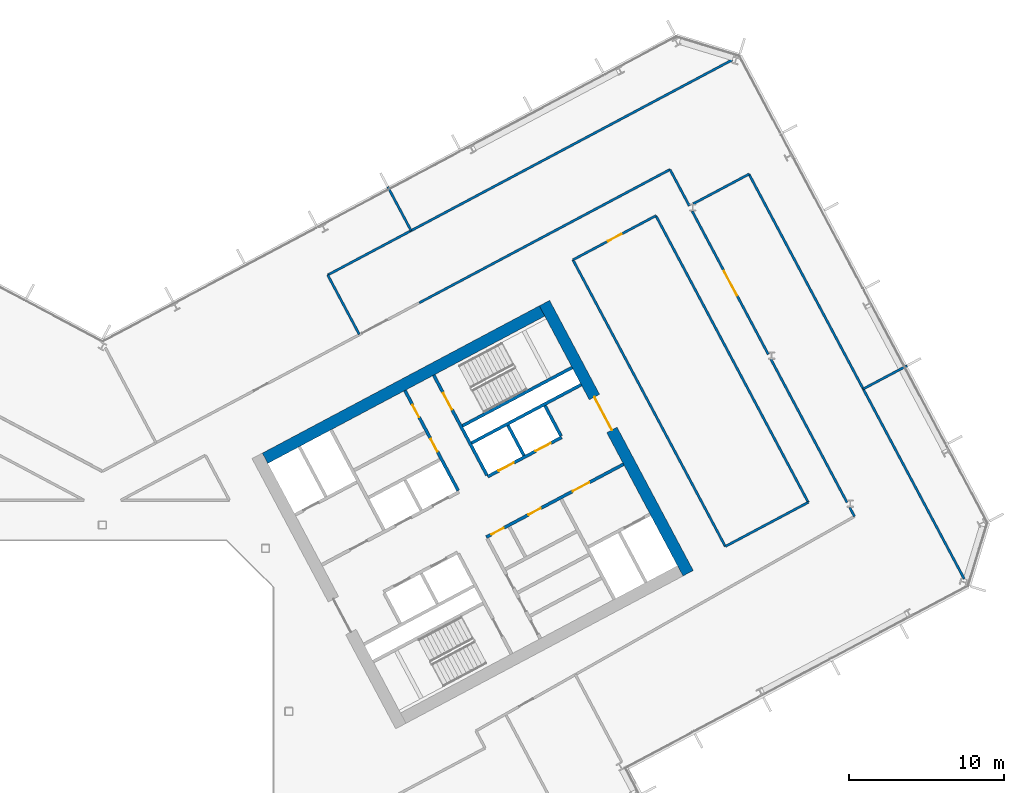
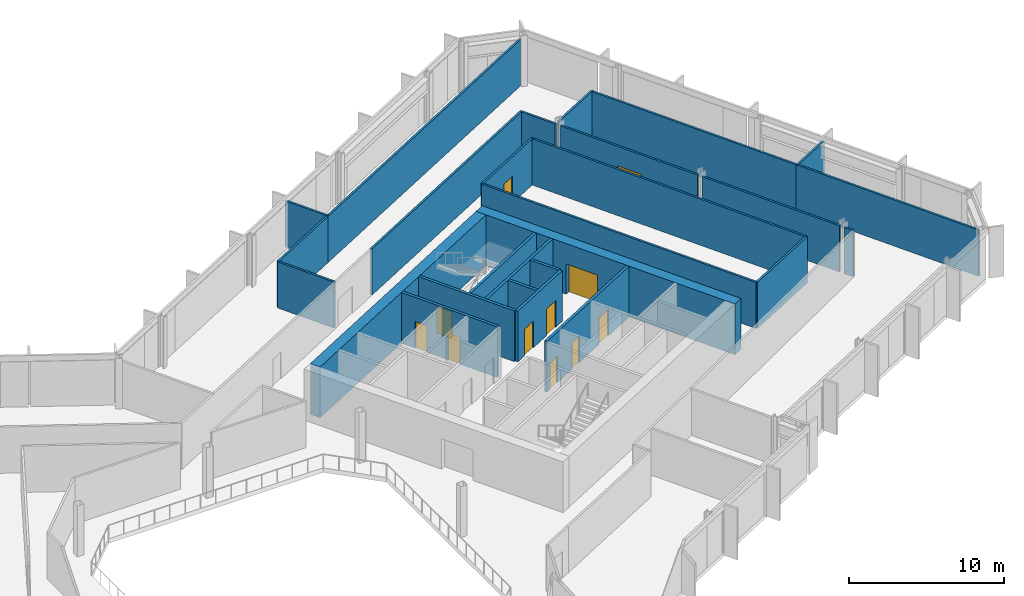
# One storey, part 17 of 28: 27 walls, 11 doors, 11 openings.
"""IFC4 building model written with IfcOpenShell, lengths in metres."""

from ifc_helpers import new_model, si_unit, direction, frame, frame_2d, origin, place, context, subcontext, project, spatial, rectangle, extrude, material, layer, layer_set, type_object, element, fill, save


model = new_model("IFC4")

# Units and contexts
model_context = context("Model", 3, precision=1e-05, world=origin(), true_north=direction((0.0, 1.0)))
body_context = subcontext(model_context, "Body", "Model", "MODEL_VIEW")
ifc_project = project(units=[si_unit("LENGTHUNIT", "METRE"), si_unit("AREAUNIT", "SQUARE_METRE"), si_unit("VOLUMEUNIT", "CUBIC_METRE"), si_unit("PLANEANGLEUNIT", "RADIAN"), si_unit("MASSUNIT", "GRAM", prefix="KILO")], contexts=[model_context])

# Site, building, storey
site_placement = place(None, origin())
site = spatial("IfcSite", under=ifc_project, at=site_placement, CompositionType="ELEMENT")
building_placement = place(site_placement, origin())
building = spatial("IfcBuilding", under=site, at=building_placement, Name="Cormorant Relay Tower", CompositionType="ELEMENT")
storey_placement = place(building_placement, frame((0.0, 0.0, 146.199951171875)))
storey = spatial("IfcBuildingStorey", under=building, at=storey_placement, Name="L30", CompositionType="ELEMENT", Elevation=146.199951171875)

# Wall
ifc_material_1 = material(Name="Concrete 40 MPa", Category="concrete")
ifc_layer_1 = layer(ifc_material_1, 0.199951171875)
ifc_layer_set_1 = layer_set([ifc_layer_1], Name="Core internal wall 200")
wall_type_1 = type_object("IfcWallType", Name="Core internal wall 200", PredefinedType="SOLIDWALL", material=ifc_layer_set_1)
wall_1_placement = place(storey_placement, frame((27.144287109375, 16.471435546875, 0.0), z_axis=(0.0, 0.0, 1.0), x_axis=(-0.469401318492, 0.882984938828, 0.0)))
element("IfcWall", 1, at=wall_1_placement, inside=storey, type_object=wall_type_1, Name="L30 core B shaft and room wall", PredefinedType="SOLIDWALL", context=body_context, shape_type="SweptSolid", body=[
    extrude(rectangle(XDim=2.199951171875, YDim=0.199951171875, at=frame_2d((1.10009765625, 0.0))), origin(), (0.0, 0.0, 1.0), 4.0),
])

# Wall, openings, doors
ifc_material_2 = material(Name="Concrete 50 MPa", Category="concrete")
ifc_layer_2 = layer(ifc_material_2, 0.199951171875)
ifc_layer_set_2 = layer_set([ifc_layer_2], Name="Core shaft wall 200")
wall_type_2 = type_object("IfcWallType", Name="Core shaft wall 200", PredefinedType="SHEAR", material=ifc_layer_set_2)
wall_2_placement = place(storey_placement, frame((22.90625, 14.218017578125, 0.0), z_axis=(0.0, 0.0, 1.0), x_axis=(-0.469480409012, 0.88294288918, 0.0)))
wall_2 = element("IfcWall", 2, at=wall_2_placement, inside=storey, type_object=wall_type_2, Name="L30 core B shaft wall", PredefinedType="SHEAR", context=body_context, shape_type="SweptSolid", body=[
    extrude(rectangle(XDim=7.300048828125, YDim=0.199951171875, at=frame_2d((3.64990234375, 0.0))), origin(), (0.0, 0.0, 1.0), 4.0),
])
opening_1_placement = place(wall_2_placement, frame((2.85009765625, 0.0, 0.0)))
opening_1 = element("IfcOpeningElement", 3, at=opening_1_placement, cuts=wall_2, Name="Opening CDD-201", PredefinedType="OPENING", context=body_context, shape_type="SweptSolid", body=[
    extrude(rectangle(XDim=0.89990234375, YDim=2.10009765625, at=frame_2d((0.449951171875, 1.050048828125))), frame((0.0, 0.10986328125, 0.0), z_axis=(0.0, -1.0, 0.0), x_axis=(1.0, 0.0, 0.0)), (0.0, 0.0, 1.0), 0.219970703125),
])
opening_2_placement = place(wall_2_placement, frame((5.35009765625, 0.0, 0.0)))
opening_2 = element("IfcOpeningElement", 4, at=opening_2_placement, cuts=wall_2, Name="Opening CDD-202", PredefinedType="OPENING", context=body_context, shape_type="SweptSolid", body=[
    extrude(rectangle(XDim=0.89990234375, YDim=2.10009765625, at=frame_2d((0.449951171875, 1.050048828125))), frame((0.0, 0.10986328125, 0.0), z_axis=(0.0, -1.0, 0.0), x_axis=(1.0, 0.0, 0.0)), (0.0, 0.0, 1.0), 0.219970703125),
])
ifc_material_3 = material(Name="Steel fire door", Category="steel")
door_type_1 = type_object("IfcDoorType", Name="Core room door 900x2100", OperationType="SINGLE_SWING_LEFT", PredefinedType="DOOR", material=ifc_material_3)
door_1_placement = place(opening_1_placement, origin())
door_1 = element("IfcDoor", 5, at=door_1_placement, inside=storey, type_object=door_type_1, Name="Core room door 900x2100", OperationType="SINGLE_SWING_RIGHT", OverallHeight=2.10009765625, OverallWidth=0.89990234375, PredefinedType="DOOR", context=body_context, shape_type="SweptSolid", body=[
    extrude(rectangle(XDim=0.89990234375, YDim=2.10009765625, at=frame_2d((0.449951171875, 1.050048828125))), frame((0.0, 0.02490234375, 0.0), z_axis=(0.0, -1.0, 0.0), x_axis=(1.0, 0.0, 0.0)), (0.0, 0.0, 1.0), 0.050048828125),
])
fill(opening_1, door_1)
door_2_placement = place(opening_2_placement, origin())
door_2 = element("IfcDoor", 6, at=door_2_placement, inside=storey, type_object=door_type_1, Name="Core room door 900x2100", OperationType="SINGLE_SWING_LEFT", OverallHeight=2.10009765625, OverallWidth=0.89990234375, PredefinedType="DOOR", context=body_context, shape_type="SweptSolid", body=[
    extrude(rectangle(XDim=0.89990234375, YDim=2.10009765625, at=frame_2d((0.449951171875, 1.050048828125))), frame((0.0, 0.02490234375, 0.0), z_axis=(0.0, -1.0, 0.0), x_axis=(1.0, 0.0, 0.0)), (0.0, 0.0, 1.0), 0.050048828125),
])
fill(opening_2, door_2)

# Wall, opening, door
wall_3_placement = place(storey_placement, frame((24.760498046875, 15.2041015625, 0.0), z_axis=(0.0, 0.0, 1.0), x_axis=(-0.469494272526, 0.882935517501, 0.0)))
wall_3 = element("IfcWall", 7, at=wall_3_placement, inside=storey, type_object=wall_type_2, Name="L30 core B shaft wall", PredefinedType="SHEAR", context=body_context, shape_type="SweptSolid", body=[
    extrude(rectangle(XDim=7.2998046875, YDim=0.199951171875, at=frame_2d((3.64990234375, 0.0))), origin(), (0.0, 0.0, 1.0), 4.0),
])
opening_3_placement = place(wall_3_placement, frame((4.800048828125, 0.0, 0.0)))
opening_3 = element("IfcOpeningElement", 8, at=opening_3_placement, cuts=wall_3, Name="Opening CDB-037", PredefinedType="OPENING", context=body_context, shape_type="SweptSolid", body=[
    extrude(rectangle(XDim=1.199951171875, YDim=2.10009765625, at=frame_2d((0.60009765625, 1.050048828125))), frame((0.0, 0.10986328125, 0.0), z_axis=(0.0, -1.0, 0.0), x_axis=(1.0, 0.0, 0.0)), (0.0, 0.0, 1.0), 0.219970703125),
])
ifc_material_4 = material(Name="Steel fire door", Category="steel")
door_type_2 = type_object("IfcDoorType", Name="Core stair door 1200x2100", OperationType="SINGLE_SWING_LEFT", PredefinedType="DOOR", material=ifc_material_4)
door_3_placement = place(opening_3_placement, frame((1.199951171875, 0.0, 0.0), z_axis=(0.0, 0.0, 1.0), x_axis=(-1.0, 0.0, 0.0)))
door_3 = element("IfcDoor", 9, at=door_3_placement, inside=storey, type_object=door_type_2, Name="Core stair door 1200x2100", OperationType="SINGLE_SWING_RIGHT", OverallHeight=2.10009765625, OverallWidth=1.199951171875, PredefinedType="DOOR", context=body_context, shape_type="SweptSolid", body=[
    extrude(rectangle(XDim=1.199951171875, YDim=2.10009765625, at=frame_2d((0.60009765625, 1.050048828125))), frame((0.0, 0.02490234375, 0.0), z_axis=(0.0, -1.0, 0.0), x_axis=(1.0, 0.0, 0.0)), (0.0, 0.0, 1.0), 0.050048828125),
])
fill(opening_3, door_3)

# Wall
wall_4_placement = place(storey_placement, frame((29.5283203125, 17.739013671875, 0.0), z_axis=(0.0, 0.0, 1.0), x_axis=(-0.469401318492, 0.882984938828, 0.0)))
element("IfcWall", 10, at=wall_4_placement, inside=storey, type_object=wall_type_2, Name="L30 core B shaft wall", PredefinedType="SHEAR", context=body_context, shape_type="SweptSolid", body=[
    extrude(rectangle(XDim=2.199951171875, YDim=0.199951171875, at=frame_2d((1.10009765625, 0.0))), origin(), (0.0, 0.0, 1.0), 4.0),
])

# Wall, openings, doors
wall_5_placement = place(storey_placement, frame((24.72607421875, 11.2216796875, 0.0), z_axis=(0.0, 0.0, 1.0), x_axis=(0.882940221191, 0.469485426614, 0.0)))
wall_5 = element("IfcWall", 11, at=wall_5_placement, inside=storey, type_object=wall_type_2, Name="L30 core B shaft wall", PredefinedType="SHEAR", context=body_context, shape_type="SweptSolid", body=[
    extrude(rectangle(XDim=10.0, YDim=0.199951171875, at=frame_2d((5.0, 0.0))), origin(), (0.0, 0.0, 1.0), 4.0),
])
opening_4_placement = place(wall_5_placement, frame((6.300048828125, 0.0, 0.0)))
opening_4 = element("IfcOpeningElement", 12, at=opening_4_placement, cuts=wall_5, Name="Opening CDC-028", PredefinedType="OPENING", context=body_context, shape_type="SweptSolid", body=[
    extrude(rectangle(XDim=1.199951171875, YDim=2.10009765625, at=frame_2d((0.60009765625, 1.050048828125))), frame((0.0, 0.10986328125, 0.0), z_axis=(0.0, -1.0, 0.0), x_axis=(1.0, 0.0, 0.0)), (0.0, 0.0, 1.0), 0.219970703125),
])
opening_5_placement = place(wall_5_placement, frame((0.360107421875, 0.0, 0.0)))
opening_5 = element("IfcOpeningElement", 13, at=opening_5_placement, cuts=wall_5, Name="Opening CDD-177", PredefinedType="OPENING", context=body_context, shape_type="SweptSolid", body=[
    extrude(rectangle(XDim=0.89990234375, YDim=2.10009765625, at=frame_2d((0.449951171875, 1.050048828125))), frame((0.0, 0.10986328125, 0.0), z_axis=(0.0, -1.0, 0.0), x_axis=(1.0, 0.0, 0.0)), (0.0, 0.0, 1.0), 0.219970703125),
])
opening_6_placement = place(wall_5_placement, frame((3.06005859375, 0.0, 0.0)))
opening_6 = element("IfcOpeningElement", 14, at=opening_6_placement, cuts=wall_5, Name="Opening CDD-178", PredefinedType="OPENING", context=body_context, shape_type="SweptSolid", body=[
    extrude(rectangle(XDim=0.89990234375, YDim=2.10009765625, at=frame_2d((0.449951171875, 1.050048828125))), frame((0.0, 0.10986328125, 0.0), z_axis=(0.0, -1.0, 0.0), x_axis=(1.0, 0.0, 0.0)), (0.0, 0.0, 1.0), 0.219970703125),
])
ifc_material_5 = material(Name="Steel fire door", Category="steel")
door_type_3 = type_object("IfcDoorType", Name="Core lobby door 1200x2100", OperationType="SINGLE_SWING_LEFT", PredefinedType="DOOR", material=ifc_material_5)
door_4_placement = place(opening_4_placement, frame((1.199951171875, 0.0, 0.0), z_axis=(0.0, 0.0, 1.0), x_axis=(-1.0, 0.0, 0.0)))
door_4 = element("IfcDoor", 15, at=door_4_placement, inside=storey, type_object=door_type_3, Name="Core lobby door 1200x2100", OperationType="SINGLE_SWING_RIGHT", OverallHeight=2.10009765625, OverallWidth=1.199951171875, PredefinedType="DOOR", context=body_context, shape_type="SweptSolid", body=[
    extrude(rectangle(XDim=1.199951171875, YDim=2.10009765625, at=frame_2d((0.60009765625, 1.050048828125))), frame((0.0, 0.02490234375, 0.0), z_axis=(0.0, -1.0, 0.0), x_axis=(1.0, 0.0, 0.0)), (0.0, 0.0, 1.0), 0.050048828125),
])
fill(opening_4, door_4)
door_5_placement = place(opening_5_placement, frame((0.89990234375, 0.0, 0.0), z_axis=(0.0, 0.0, 1.0), x_axis=(-1.0, 0.0, 0.0)))
door_5 = element("IfcDoor", 16, at=door_5_placement, inside=storey, type_object=door_type_1, Name="Core room door 900x2100", OperationType="SINGLE_SWING_RIGHT", OverallHeight=2.10009765625, OverallWidth=0.89990234375, PredefinedType="DOOR", context=body_context, shape_type="SweptSolid", body=[
    extrude(rectangle(XDim=0.89990234375, YDim=2.10009765625, at=frame_2d((0.449951171875, 1.050048828125))), frame((0.0, 0.02490234375, 0.0), z_axis=(0.0, -1.0, 0.0), x_axis=(1.0, 0.0, 0.0)), (0.0, 0.0, 1.0), 0.050048828125),
])
fill(opening_5, door_5)
door_6_placement = place(opening_6_placement, frame((0.89990234375, 0.0, 0.0), z_axis=(0.0, 0.0, 1.0), x_axis=(-1.0, 0.0, 0.0)))
door_6 = element("IfcDoor", 17, at=door_6_placement, inside=storey, type_object=door_type_1, Name="Core room door 900x2100", OperationType="SINGLE_SWING_RIGHT", OverallHeight=2.10009765625, OverallWidth=0.89990234375, PredefinedType="DOOR", context=body_context, shape_type="SweptSolid", body=[
    extrude(rectangle(XDim=0.89990234375, YDim=2.10009765625, at=frame_2d((0.449951171875, 1.050048828125))), frame((0.0, 0.02490234375, 0.0), z_axis=(0.0, -1.0, 0.0), x_axis=(1.0, 0.0, 0.0)), (0.0, 0.0, 1.0), 0.050048828125),
])
fill(opening_6, door_6)

wall_6_placement = place(storey_placement, frame((24.807373046875, 15.11572265625, 0.0), z_axis=(0.0, 0.0, 1.0), x_axis=(0.882942972946, 0.469480251476, 0.0)))
wall_6 = element("IfcWall", 18, at=wall_6_placement, inside=storey, type_object=wall_type_2, Name="L30 core B shaft wall", PredefinedType="SHEAR", context=body_context, shape_type="SweptSolid", body=[
    extrude(rectangle(XDim=5.39990234375, YDim=0.199951171875, at=frame_2d((2.699951171875, 0.0))), origin(), (0.0, 0.0, 1.0), 4.0),
])
opening_7_placement = place(wall_6_placement, frame((0.800048828125, 0.0, 0.0)))
opening_7 = element("IfcOpeningElement", 19, at=opening_7_placement, cuts=wall_6, Name="Opening LD1-046", PredefinedType="OPENING", context=body_context, shape_type="SweptSolid", body=[
    extrude(rectangle(XDim=1.10009765625, YDim=2.10009765625, at=frame_2d((0.550048828125, 1.050048828125))), frame((0.0, 0.10986328125, 0.0), z_axis=(0.0, -1.0, 0.0), x_axis=(1.0, 0.0, 0.0)), (0.0, 0.0, 1.0), 0.219970703125),
])
opening_8_placement = place(wall_6_placement, frame((3.5, 0.0, 0.0)))
opening_8 = element("IfcOpeningElement", 20, at=opening_8_placement, cuts=wall_6, Name="Opening LD1-047", PredefinedType="OPENING", context=body_context, shape_type="SweptSolid", body=[
    extrude(rectangle(XDim=1.10009765625, YDim=2.10009765625, at=frame_2d((0.550048828125, 1.050048828125))), frame((0.0, 0.10986328125, 0.0), z_axis=(0.0, -1.0, 0.0), x_axis=(1.0, 0.0, 0.0)), (0.0, 0.0, 1.0), 0.219970703125),
])
ifc_material_6 = material(Name="Stainless steel 316", Category="steel")
door_type_4 = type_object("IfcDoorType", Name="Lift landing door 1100x2100", OperationType="DOUBLE_DOOR_SLIDING", PredefinedType="DOOR", material=ifc_material_6)
door_7_placement = place(opening_7_placement, origin())
door_7 = element("IfcDoor", 21, at=door_7_placement, inside=storey, type_object=door_type_4, Name="LR3 landing door", OperationType="DOUBLE_DOOR_SLIDING", OverallHeight=2.10009765625, OverallWidth=1.10009765625, PredefinedType="DOOR", context=body_context, shape_type="SweptSolid", body=[
    extrude(rectangle(XDim=1.10009765625, YDim=2.10009765625, at=frame_2d((0.550048828125, 1.050048828125))), frame((0.0, 0.02490234375, 0.0), z_axis=(0.0, -1.0, 0.0), x_axis=(1.0, 0.0, 0.0)), (0.0, 0.0, 1.0), 0.050048828125),
])
fill(opening_7, door_7)
door_8_placement = place(opening_8_placement, origin())
door_8 = element("IfcDoor", 22, at=door_8_placement, inside=storey, type_object=door_type_4, Name="LR4 landing door", OperationType="DOUBLE_DOOR_SLIDING", OverallHeight=2.10009765625, OverallWidth=1.10009765625, PredefinedType="DOOR", context=body_context, shape_type="SweptSolid", body=[
    extrude(rectangle(XDim=1.10009765625, YDim=2.10009765625, at=frame_2d((0.550048828125, 1.050048828125))), frame((0.0, 0.02490234375, 0.0), z_axis=(0.0, -1.0, 0.0), x_axis=(1.0, 0.0, 0.0)), (0.0, 0.0, 1.0), 0.050048828125),
])
fill(opening_8, door_8)

# Walls
wall_7_placement = place(storey_placement, frame((23.76904296875, 17.28173828125, 0.0), z_axis=(0.0, 0.0, 1.0), x_axis=(0.882940221191, 0.469485426614, 0.0)))
element("IfcWall", 23, at=wall_7_placement, inside=storey, type_object=wall_type_2, Name="L30 core B shaft wall", PredefinedType="SHEAR", context=body_context, shape_type="SweptSolid", body=[
    extrude(rectangle(XDim=8.0, YDim=0.199951171875, at=frame_2d((4.0, 0.0))), origin(), (0.0, 0.0, 1.0), 4.0),
])
wall_8_placement = place(storey_placement, frame((23.18212890625, 18.385498046875, 0.0), z_axis=(0.0, 0.0, 1.0), x_axis=(0.88295287151, 0.469461634952, 0.0)))
element("IfcWall", 24, at=wall_8_placement, inside=storey, type_object=wall_type_2, Name="L30 core B shaft wall", PredefinedType="SHEAR", context=body_context, shape_type="SweptSolid", body=[
    extrude(rectangle(XDim=7.999755859375, YDim=0.199951171875, at=frame_2d((4.0, 0.0))), origin(), (0.0, 0.0, 1.0), 4.0),
])

# Wall, opening, door
ifc_material_7 = material(Name="Concrete 60 MPa", Category="concrete")
ifc_layer_3 = layer(ifc_material_7, 0.75)
ifc_layer_set_3 = layer_set([ifc_layer_3], Name="Core wall 750")
wall_type_3 = type_object("IfcWallType", Name="Core wall 750", PredefinedType="SHEAR", material=ifc_layer_set_3)
wall_9_placement = place(storey_placement, frame((37.712646484375, 8.896484375, 0.0), z_axis=(0.0, 0.0, 1.0), x_axis=(-0.469469918705, 0.88294846703, 0.0)))
wall_9 = element("IfcWall", 25, at=wall_9_placement, inside=storey, type_object=wall_type_3, Name="L30 core B wall", PredefinedType="SHEAR", context=body_context, shape_type="SweptSolid", body=[
    extrude(rectangle(XDim=19.699951171875, YDim=0.75, at=frame_2d((9.85009765625, 0.0))), origin(), (0.0, 0.0, 1.0), 4.0),
])
opening_9_placement = place(wall_9_placement, frame((10.449951171875, 0.0, 0.0)))
opening_9 = element("IfcOpeningElement", 26, at=opening_9_placement, cuts=wall_9, Name="Opening CDA-029", PredefinedType="OPENING", context=body_context, shape_type="SweptSolid", body=[
    extrude(rectangle(XDim=2.39990234375, YDim=2.39990234375, at=frame_2d((1.199951171875, 1.199951171875))), frame((0.0, 0.385009765625, 0.0), z_axis=(0.0, -1.0, 0.0), x_axis=(1.0, 0.0, 0.0)), (0.0, 0.0, 1.0), 0.77001953125),
])
ifc_material_8 = material(Name="Steel fire door", Category="steel")
door_type_5 = type_object("IfcDoorType", Name="Core lobby door 2400x2400", OperationType="DOUBLE_DOOR_SINGLE_SWING", PredefinedType="DOOR", material=ifc_material_8)
door_9_placement = place(opening_9_placement, origin())
door_9 = element("IfcDoor", 27, at=door_9_placement, inside=storey, type_object=door_type_5, Name="Core lobby door 2400x2400", OperationType="DOUBLE_DOOR_SINGLE_SWING", OverallHeight=2.39990234375, OverallWidth=2.39990234375, PredefinedType="DOOR", context=body_context, shape_type="SweptSolid", body=[
    extrude(rectangle(XDim=2.39990234375, YDim=2.39990234375, at=frame_2d((1.199951171875, 1.199951171875))), frame((0.0, 0.02490234375, 0.0), z_axis=(0.0, -1.0, 0.0), x_axis=(1.0, 0.0, 0.0)), (0.0, 0.0, 1.0), 0.050048828125),
])
fill(opening_9, door_9)

# Walls
wall_10_placement = place(storey_placement, frame((10.4736328125, 16.300048828125, 0.0), z_axis=(0.0, 0.0, 1.0), x_axis=(0.88295010195, 0.469466843842, 0.0)))
element("IfcWall", 28, at=wall_10_placement, inside=storey, type_object=wall_type_3, Name="L30 core B wall", PredefinedType="SHEAR", context=body_context, shape_type="SweptSolid", body=[
    extrude(rectangle(XDim=20.199951171875, YDim=0.75, at=frame_2d((10.10009765625, 0.0))), origin(), (0.0, 0.0, 1.0), 4.0),
])
ifc_material_9 = material(Name="Gypsum board fire partition")
ifc_layer_4 = layer(ifc_material_9, 0.14990234375)
ifc_layer_set_4 = layer_set([ifc_layer_4], Name="Corridor partition 150 EI 60")
wall_type_4 = type_object("IfcWallType", Name="Corridor partition 150 EI 60", PredefinedType="PARTITIONING", material=ifc_layer_set_4)
wall_11_placement = place(storey_placement, frame((37.7900390625, 32.554931640625, 0.0), z_axis=(0.0, 0.0, 1.0), x_axis=(-0.469898914502, 0.882720233228, 0.0)))
element("IfcWall", 29, at=wall_11_placement, inside=storey, type_object=wall_type_4, Name="wall/L30/part/056", PredefinedType="PARTITIONING", context=body_context, shape_type="SweptSolid", body=[
    extrude(rectangle(XDim=2.647705078125, YDim=0.14990234375, at=frame_2d((1.32373046875, 0.0))), origin(), (0.0, 0.0, 1.0), 3.64013671875),
])
wall_12_placement = place(storey_placement, frame((20.402099609375, 26.30810546875, 0.0), z_axis=(0.0, 0.0, 1.0), x_axis=(0.882958355843, 0.469451319997, 0.0)))
element("IfcWall", 30, at=wall_12_placement, inside=storey, type_object=wall_type_4, Name="wall/L30/part/057", PredefinedType="PARTITIONING", context=body_context, shape_type="SweptSolid", body=[
    extrude(rectangle(XDim=18.28515625, YDim=0.14990234375, at=frame_2d((9.142578125, 0.0))), origin(), (0.0, 0.0, 1.0), 3.64013671875),
])

# Wall, opening, door
wall_13_placement = place(storey_placement, frame((37.97412109375, 32.208984375, 0.0), z_axis=(0.0, 0.0, 1.0), x_axis=(0.469434985691, -0.882967040274, 0.0)))
wall_13 = element("IfcWall", 31, at=wall_13_placement, inside=storey, type_object=wall_type_4, Name="wall/L30/part/061", PredefinedType="PARTITIONING", context=body_context, shape_type="SweptSolid", body=[
    extrude(rectangle(XDim=10.442138671875, YDim=0.14990234375, at=frame_2d((5.22119140625, 0.0))), origin(), (0.0, 0.0, 1.0), 3.64013671875),
])
opening_10_placement = place(wall_13_placement, frame((4.35107421875, 0.0, 0.0)))
opening_10 = element("IfcOpeningElement", 32, at=opening_10_placement, cuts=wall_13, Name="Opening DD-010", PredefinedType="OPENING", context=body_context, shape_type="SweptSolid", body=[
    extrude(rectangle(XDim=1.800048828125, YDim=2.10009765625, at=frame_2d((0.89990234375, 1.050048828125))), frame((0.0, 0.0849609375, 0.0), z_axis=(0.0, -1.0, 0.0), x_axis=(1.0, 0.0, 0.0)), (0.0, 0.0, 1.0), 0.169921875),
])
ifc_material_10 = material(Name="Timber door leaf", Category="wood")
door_type_6 = type_object("IfcDoorType", Name="Suite double door 1800x2100", OperationType="DOUBLE_DOOR_SINGLE_SWING", PredefinedType="DOOR", material=ifc_material_10)
door_10_placement = place(opening_10_placement, frame((1.800048828125, 0.0, 0.0), z_axis=(0.0, 0.0, 1.0), x_axis=(-1.0, 0.0, 0.0)))
door_10 = element("IfcDoor", 33, at=door_10_placement, inside=storey, type_object=door_type_6, Name="door/L30/006", OperationType="DOUBLE_DOOR_SINGLE_SWING", OverallHeight=2.10009765625, OverallWidth=1.800048828125, PredefinedType="DOOR", context=body_context, shape_type="SweptSolid", body=[
    extrude(rectangle(XDim=1.800048828125, YDim=2.10009765625, at=frame_2d((0.89990234375, 1.050048828125))), frame((0.0, 0.02490234375, 0.0), z_axis=(0.0, -1.0, 0.0), x_axis=(1.0, 0.0, 0.0)), (0.0, 0.0, 1.0), 0.050048828125),
])
fill(opening_10, door_10)

# Walls
wall_14_placement = place(storey_placement, frame((43.0439453125, 22.672119140625, 0.0), z_axis=(0.0, 0.0, 1.0), x_axis=(0.469530755038, -0.882916117235, 0.0)))
element("IfcWall", 34, at=wall_14_placement, inside=storey, type_object=wall_type_4, Name="wall/L30/part/062", PredefinedType="PARTITIONING", context=body_context, shape_type="SweptSolid", body=[
    extrude(rectangle(XDim=10.4404296875, YDim=0.14990234375, at=frame_2d((5.22021484375, 0.0))), origin(), (0.0, 0.0, 1.0), 3.64013671875),
])
wall_15_placement = place(storey_placement, frame((48.114990234375, 13.135986328125, 0.0), z_axis=(0.0, 0.0, 1.0), x_axis=(0.469551655302, -0.882905002253, 0.0)))
element("IfcWall", 35, at=wall_15_placement, inside=storey, type_object=wall_type_4, Name="wall/L30/part/063", PredefinedType="PARTITIONING", context=body_context, shape_type="SweptSolid", body=[
    extrude(rectangle(XDim=0.660400390625, YDim=0.14990234375, at=frame_2d((0.330078125, 0.0))), origin(), (0.0, 0.0, 1.0), 3.64013671875),
])

# Wall, opening, door
wall_16_placement = place(storey_placement, frame((30.2958984375, 29.075927734375, 0.0), z_axis=(0.0, 0.0, 1.0), x_axis=(0.882867405174, 0.469622342826, 0.0)))
wall_16 = element("IfcWall", 36, at=wall_16_placement, inside=storey, type_object=wall_type_4, Name="wall/L30/part/078", PredefinedType="PARTITIONING", context=body_context, shape_type="SweptSolid", body=[
    extrude(rectangle(XDim=6.049560546875, YDim=0.14990234375, at=frame_2d((3.02490234375, 0.0))), origin(), (0.0, 0.0, 1.0), 3.64013671875),
])
opening_11_placement = place(wall_16_placement, frame((2.550048828125, 0.0, 0.0)))
opening_11 = element("IfcOpeningElement", 37, at=opening_11_placement, cuts=wall_16, Name="Opening DS-044", PredefinedType="OPENING", context=body_context, shape_type="SweptSolid", body=[
    extrude(rectangle(XDim=1.0, YDim=2.10009765625, at=frame_2d((0.5, 1.050048828125))), frame((0.0, 0.0849609375, 0.0), z_axis=(0.0, -1.0, 0.0), x_axis=(1.0, 0.0, 0.0)), (0.0, 0.0, 1.0), 0.169921875),
])
ifc_material_11 = material(Name="Timber door leaf", Category="wood")
door_type_7 = type_object("IfcDoorType", Name="Suite door 1000x2100", OperationType="SINGLE_SWING_LEFT", PredefinedType="DOOR", material=ifc_material_11)
door_11_placement = place(opening_11_placement, frame((1.0, 0.0, 0.0), z_axis=(0.0, 0.0, 1.0), x_axis=(-1.0, 0.0, 0.0)))
door_11 = element("IfcDoor", 38, at=door_11_placement, inside=storey, type_object=door_type_7, Name="door/L30/020", OperationType="SINGLE_SWING_RIGHT", OverallHeight=2.10009765625, OverallWidth=1.0, PredefinedType="DOOR", context=body_context, shape_type="SweptSolid", body=[
    extrude(rectangle(XDim=1.0, YDim=2.10009765625, at=frame_2d((0.5, 1.050048828125))), frame((0.0, 0.02490234375, 0.0), z_axis=(0.0, -1.0, 0.0), x_axis=(1.0, 0.0, 0.0)), (0.0, 0.0, 1.0), 0.050048828125),
])
fill(opening_11, door_11)

# Walls
wall_17_placement = place(storey_placement, frame((35.636962890625, 31.9169921875, 0.0), z_axis=(0.0, 0.0, 1.0), x_axis=(0.469463799246, -0.882951720762, 0.0)))
element("IfcWall", 39, at=wall_17_placement, inside=storey, type_object=wall_type_4, Name="wall/L30/part/079", PredefinedType="PARTITIONING", context=body_context, shape_type="SweptSolid", body=[
    extrude(rectangle(XDim=20.900390625, YDim=0.14990234375, at=frame_2d((10.4501953125, 0.0))), origin(), (0.0, 0.0, 1.0), 3.64013671875),
])
wall_18_placement = place(storey_placement, frame((45.448974609375, 13.462890625, 0.0), z_axis=(0.0, 0.0, 1.0), x_axis=(-0.882951059878, -0.469465042213, 0.0)))
element("IfcWall", 40, at=wall_18_placement, inside=storey, type_object=wall_type_4, Name="wall/L30/part/080", PredefinedType="PARTITIONING", context=body_context, shape_type="SweptSolid", body=[
    extrude(rectangle(XDim=6.049072265625, YDim=0.14990234375, at=frame_2d((3.0244140625, 0.0))), origin(), (0.0, 0.0, 1.0), 3.64013671875),
])
wall_19_placement = place(storey_placement, frame((40.10791015625, 10.623046875, 0.0), z_axis=(0.0, 0.0, 1.0), x_axis=(-0.469488010228, 0.882938847402, 0.0)))
element("IfcWall", 41, at=wall_19_placement, inside=storey, type_object=wall_type_4, Name="wall/L30/part/081", PredefinedType="PARTITIONING", context=body_context, shape_type="SweptSolid", body=[
    extrude(rectangle(XDim=20.8994140625, YDim=0.14990234375, at=frame_2d((10.44970703125, 0.0))), origin(), (0.0, 0.0, 1.0), 3.64013671875),
])
ifc_material_12 = material(Name="Gypsum board partition")
ifc_layer_5 = layer(ifc_material_12, 0.14990234375)
ifc_layer_set_5 = layer_set([ifc_layer_5], Name="Tenant partition 150")
wall_type_5 = type_object("IfcWallType", Name="Tenant partition 150", PredefinedType="PARTITIONING", material=ifc_layer_set_5)
wall_20_placement = place(storey_placement, frame((14.507080078125, 28.10009765625, 0.0), z_axis=(0.0, 0.0, 1.0), x_axis=(0.469255579647, -0.883062399251, 0.0)))
element("IfcWall", 42, at=wall_20_placement, inside=storey, type_object=wall_type_5, Name="wall/L30/part/052", PredefinedType="PARTITIONING", context=body_context, shape_type="SweptSolid", body=[
    extrude(rectangle(XDim=4.328125, YDim=0.14990234375, at=frame_2d((2.1640625, 0.0))), origin(), (0.0, 0.0, 1.0), 3.64013671875),
])
wall_21_placement = place(storey_placement, frame((14.506103515625, 28.09912109375, 0.0), z_axis=(0.0, 0.0, 1.0), x_axis=(0.882949189538, 0.469468559857, 0.0)))
element("IfcWall", 43, at=wall_21_placement, inside=storey, type_object=wall_type_5, Name="wall/L30/part/053", PredefinedType="PARTITIONING", context=body_context, shape_type="SweptSolid", body=[
    extrude(rectangle(XDim=6.000244140625, YDim=0.14990234375, at=frame_2d((3.0, 0.0))), origin(), (0.0, 0.0, 1.0), 3.64013671875),
])
wall_22_placement = place(storey_placement, frame((18.3740234375, 33.780029296875, 0.0), z_axis=(0.0, 0.0, 1.0), x_axis=(0.469685095616, -0.882834022315, 0.0)))
element("IfcWall", 44, at=wall_22_placement, inside=storey, type_object=wall_type_5, Name="wall/L30/part/054", PredefinedType="PARTITIONING", context=body_context, shape_type="SweptSolid", body=[
    extrude(rectangle(XDim=3.199951171875, YDim=0.14990234375, at=frame_2d((1.60009765625, 0.0))), origin(), (0.0, 0.0, 1.0), 3.64013671875),
])
wall_23_placement = place(storey_placement, frame((19.803955078125, 30.916015625, 0.0), z_axis=(0.0, 0.0, 1.0), x_axis=(0.882942088651, 0.469481914548, 0.0)))
element("IfcWall", 45, at=wall_23_placement, inside=storey, type_object=wall_type_5, Name="wall/L30/part/055", PredefinedType="PARTITIONING", context=body_context, shape_type="SweptSolid", body=[
    extrude(rectangle(XDim=23.51123046875, YDim=0.14990234375, at=frame_2d((11.755615234375, 0.0))), origin(), (0.0, 0.0, 1.0), 3.64013671875),
])
wall_24_placement = place(storey_placement, frame((48.952880859375, 20.825927734375, 0.0), z_axis=(0.0, 0.0, 1.0), x_axis=(-0.469481062735, 0.882942541581, 0.0)))
element("IfcWall", 46, at=wall_24_placement, inside=storey, type_object=wall_type_5, Name="wall/L30/part/065", PredefinedType="PARTITIONING", context=body_context, shape_type="SweptSolid", body=[
    extrude(rectangle(XDim=15.593505859375, YDim=0.14990234375, at=frame_2d((7.796875, 0.0))), origin(), (0.0, 0.0, 1.0), 3.64013671875),
])
wall_25_placement = place(storey_placement, frame((41.632080078125, 34.593994140625, 0.0), z_axis=(0.0, 0.0, 1.0), x_axis=(-0.88295491585, -0.469457789984, 0.0)))
element("IfcWall", 47, at=wall_25_placement, inside=storey, type_object=wall_type_5, Name="wall/L30/part/066", PredefinedType="PARTITIONING", context=body_context, shape_type="SweptSolid", body=[
    extrude(rectangle(XDim=4.0703125, YDim=0.14990234375, at=frame_2d((2.03515625, 0.0))), origin(), (0.0, 0.0, 1.0), 3.64013671875),
])
wall_26_placement = place(storey_placement, frame((48.952880859375, 20.825927734375, 0.0), z_axis=(0.0, 0.0, 1.0), x_axis=(0.469480582042, -0.882942797176, 0.0)))
element("IfcWall", 48, at=wall_26_placement, inside=storey, type_object=wall_type_5, Name="wall/L30/part/067", PredefinedType="PARTITIONING", context=body_context, shape_type="SweptSolid", body=[
    extrude(rectangle(XDim=13.915771484375, YDim=0.14990234375, at=frame_2d((6.9580078125, 0.0))), origin(), (0.0, 0.0, 1.0), 3.64013671875),
])
wall_27_placement = place(storey_placement, frame((51.81298828125, 22.262939453125, 0.0), z_axis=(0.0, 0.0, 1.0), x_axis=(-0.883154243406, -0.469082703107, 0.0)))
element("IfcWall", 49, at=wall_27_placement, inside=storey, type_object=wall_type_5, Name="wall/L30/part/068", PredefinedType="PARTITIONING", context=body_context, shape_type="SweptSolid", body=[
    extrude(rectangle(XDim=3.19970703125, YDim=0.14990234375, at=frame_2d((1.599853515625, 0.0))), origin(), (0.0, 0.0, 1.0), 3.64013671875),
])

save(model, "model.ifc")
